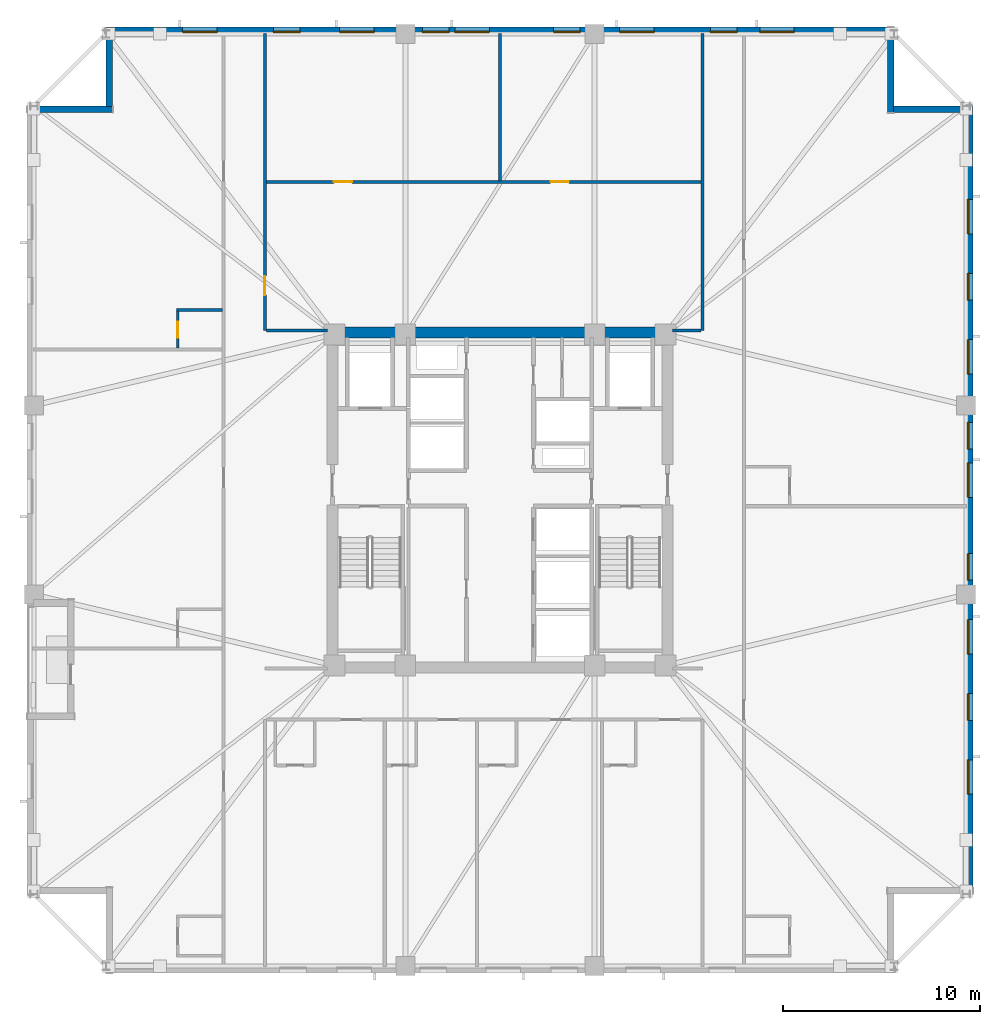
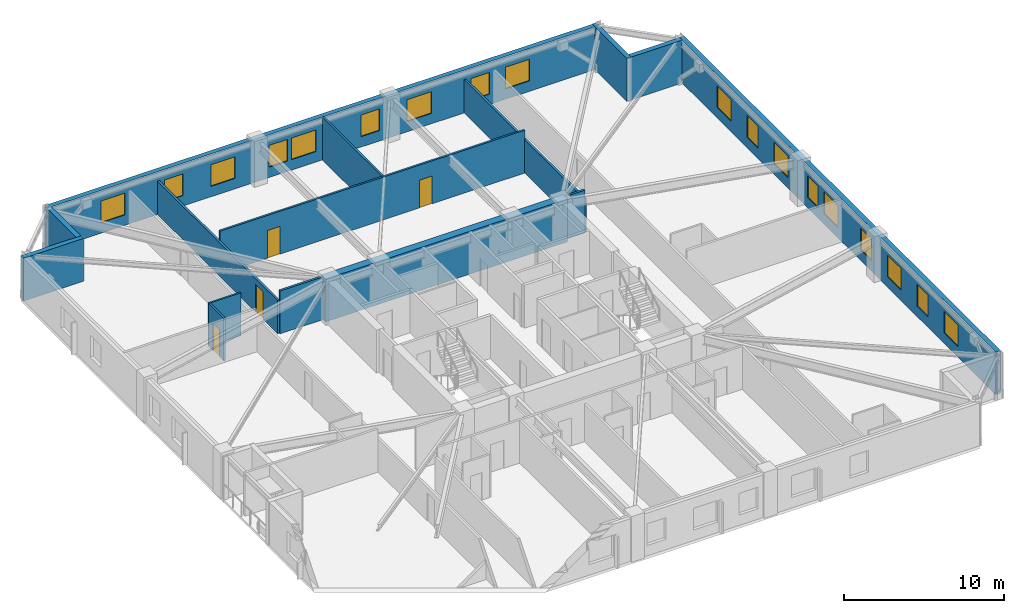
# One storey, part 5 of 10: 18 windows, 15 walls, 4 doors, 22 openings.
"""IFC4 building model written with IfcOpenShell, lengths in metres."""

from ifc_helpers import new_model, si_unit, direction, frame, frame_2d, origin, place, context, subcontext, project, spatial, rectangle, extrude, material, layer, layer_set, type_object, element, fill, save


model = new_model("IFC4")

# Units and contexts
model_context = context("Model", 3, precision=1e-05, world=origin(), true_north=direction((0.0, 1.0)))
body_context = subcontext(model_context, "Body", "Model", "MODEL_VIEW")
ifc_project = project(units=[si_unit("LENGTHUNIT", "METRE"), si_unit("AREAUNIT", "SQUARE_METRE"), si_unit("VOLUMEUNIT", "CUBIC_METRE"), si_unit("PLANEANGLEUNIT", "RADIAN"), si_unit("MASSUNIT", "GRAM", prefix="KILO")], contexts=[model_context])

# Site, building, storey
site_placement = place(None, origin())
site = spatial("IfcSite", under=ifc_project, at=site_placement, CompositionType="ELEMENT")
building_placement = place(site_placement, origin())
building = spatial("IfcBuilding", under=site, at=building_placement, Name="Cairnveth Concourse Tower", CompositionType="ELEMENT")
storey_placement = place(building_placement, frame((0.0, 0.0, 137.5)))
storey = spatial("IfcBuildingStorey", under=building, at=storey_placement, Name="L37", CompositionType="ELEMENT", Elevation=137.5)

# Wall, opening, door
ifc_material_1 = material(Name="Gypsum Plasterboard Partition", Category="gypsum")
ifc_layer_1 = layer(ifc_material_1, 0.159912109375)
ifc_layer_set_1 = layer_set([ifc_layer_1], Name="Gypsum Plasterboard Partition")
wall_type_1 = type_object("IfcWallType", Name="ACOUSTIC PARTY WALL 180", PredefinedType="PARTITIONING", material=ifc_layer_set_1)
wall_1_placement = place(storey_placement, frame((40.074951171875, 47.60009765625, 0.0), z_axis=(0.0, 0.0, 1.0), x_axis=(0.0, 1.0, 0.0)))
wall_1 = element("IfcWall", 1, at=wall_1_placement, inside=storey, type_object=wall_type_1, Name="Interior Wall IW-L37-038", PredefinedType="PARTITIONING", context=body_context, shape_type="SweptSolid", body=[
    extrude(rectangle(XDim=15.074951171875, YDim=0.159912109375, at=frame_2d((7.53759765625, 0.0))), origin(), (0.0, 0.0, 1.0), 2.554931640625),
])
opening_1_placement = place(wall_1_placement, frame((1.800048828125, 0.0, 0.0)))
opening_1 = element("IfcOpeningElement", 2, at=opening_1_placement, cuts=wall_1, Name="Opening ID11", PredefinedType="OPENING", context=body_context, shape_type="SweptSolid", body=[
    extrude(rectangle(XDim=0.9599609375, YDim=2.1201171875, at=frame_2d((0.47998046875, 1.06005859375))), frame((0.0, 0.08984375, 0.0), z_axis=(0.0, -1.0, 0.0), x_axis=(1.0, 0.0, 0.0)), (0.0, 0.0, 1.0), 0.179931640625),
])
ifc_material_2 = material(Name="Solid Core Hardwood Timber Leaf", Category="wood")
door_type_1 = type_object("IfcDoorType", Name="INTERIOR SINGLE DOOR 960X2150", OperationType="NOTDEFINED", PredefinedType="DOOR", material=ifc_material_2)
door_1_placement = place(opening_1_placement, origin())
door_1 = element("IfcDoor", 3, at=door_1_placement, inside=storey, type_object=door_type_1, Name="Interior Door DR-L37-015", OperationType="SINGLE_SWING_LEFT", OverallHeight=2.1201171875, OverallWidth=0.9599609375, PredefinedType="DOOR", context=body_context, shape_type="SweptSolid", body=[
    extrude(rectangle(XDim=0.9599609375, YDim=2.1201171875, at=frame_2d((0.47998046875, 1.06005859375))), frame((0.0, 0.02490234375, 0.0), z_axis=(0.0, -1.0, 0.0), x_axis=(1.0, 0.0, 0.0)), (0.0, 0.0, 1.0), 0.050048828125),
])
fill(opening_1, door_1)

# Walls
wall_2_placement = place(storey_placement, frame((40.139892578125, 47.60009765625, 0.0), z_axis=(0.0, 0.0, 1.0), x_axis=(1.0, 0.0, 0.0)))
element("IfcWall", 4, at=wall_2_placement, inside=storey, type_object=wall_type_1, Name="Interior Wall IW-L37-040", PredefinedType="PARTITIONING", context=body_context, shape_type="SweptSolid", body=[
    extrude(rectangle(XDim=3.09521484375, YDim=0.159912109375, at=frame_2d((1.547607421875, 0.0))), origin(), (0.0, 0.0, 1.0), 3.280029296875),
])
wall_3_placement = place(storey_placement, frame((62.27490234375, 47.60009765625, 0.0), z_axis=(0.0, 0.0, 1.0), x_axis=(0.0, 1.0, 0.0)))
element("IfcWall", 5, at=wall_3_placement, inside=storey, type_object=wall_type_1, Name="Interior Wall IW-L37-043", PredefinedType="PARTITIONING", context=body_context, shape_type="SweptSolid", body=[
    extrude(rectangle(XDim=15.074951171875, YDim=0.159912109375, at=frame_2d((7.53759765625, 0.0))), origin(), (0.0, 0.0, 1.0), 2.554931640625),
])
wall_4_placement = place(storey_placement, frame((60.764892578125, 47.60009765625, 0.0), z_axis=(0.0, 0.0, 1.0), x_axis=(1.0, 0.0, 0.0)))
element("IfcWall", 6, at=wall_4_placement, inside=storey, type_object=wall_type_1, Name="Interior Wall IW-L37-045", PredefinedType="PARTITIONING", context=body_context, shape_type="SweptSolid", body=[
    extrude(rectangle(XDim=1.445068359375, YDim=0.159912109375, at=frame_2d((0.72265625, 0.0))), origin(), (0.0, 0.0, 1.0), 3.280029296875),
])
ifc_material_3 = material(Name="Concrete N80 (80 MPa)", Category="concrete")
ifc_layer_2 = layer(ifc_material_3, 0.550048828125)
ifc_layer_set_2 = layer_set([ifc_layer_2], Name="Concrete N80 (80 MPa)")
wall_type_2 = type_object("IfcWallType", Name="CORE SHEAR WALL 550", PredefinedType="SHEAR", material=ifc_layer_set_2)
wall_5_placement = place(storey_placement, frame((43.22509765625, 47.5, 0.0), z_axis=(0.0, 0.0, 1.0), x_axis=(1.0, 0.0, 0.0)))
element("IfcWall", 7, at=wall_5_placement, inside=storey, type_object=wall_type_2, Name="Core North Shear Wall L37", PredefinedType="SHEAR", context=body_context, shape_type="SweptSolid", body=[
    extrude(rectangle(XDim=17.5498046875, YDim=0.550048828125, at=frame_2d((8.77490234375, 0.0))), origin(), (0.0, 0.0, 1.0), 3.280029296875),
])

# Wall, openings, doors
ifc_layer_3 = layer(ifc_material_1, 0.139892578125)
ifc_layer_set_3 = layer_set([ifc_layer_3], Name="Gypsum Plasterboard Partition")
wall_type_3 = type_object("IfcWallType", Name="GYPSUM STUD PARTITION 140", PredefinedType="PARTITIONING", material=ifc_layer_set_3)
wall_6_placement = place(storey_placement, frame((40.139892578125, 55.139892578125, 0.0), z_axis=(0.0, 0.0, 1.0), x_axis=(1.0, 0.0, 0.0)))
wall_6 = element("IfcWall", 8, at=wall_6_placement, inside=storey, type_object=wall_type_3, Name="Interior Wall IW-L37-047", PredefinedType="PARTITIONING", context=body_context, shape_type="SweptSolid", body=[
    extrude(rectangle(XDim=22.070068359375, YDim=0.139892578125, at=frame_2d((11.03515625, 0.0))), origin(), (0.0, 0.0, 1.0), 3.280029296875),
])
opening_2_placement = place(wall_6_placement, frame((3.43505859375, 0.0, 0.0)))
opening_2 = element("IfcOpeningElement", 9, at=opening_2_placement, cuts=wall_6, Name="Opening ID15", PredefinedType="OPENING", context=body_context, shape_type="SweptSolid", body=[
    extrude(rectangle(XDim=0.919921875, YDim=2.1201171875, at=frame_2d((0.4599609375, 1.06005859375))), frame((0.0, 0.079833984375, 0.0), z_axis=(0.0, -1.0, 0.0), x_axis=(1.0, 0.0, 0.0)), (0.0, 0.0, 1.0), 0.159912109375),
])
opening_3_placement = place(wall_6_placement, frame((14.43505859375, 0.0, 0.0)))
opening_3 = element("IfcOpeningElement", 10, at=opening_3_placement, cuts=wall_6, Name="Opening ID15", PredefinedType="OPENING", context=body_context, shape_type="SweptSolid", body=[
    extrude(rectangle(XDim=0.919921875, YDim=2.1201171875, at=frame_2d((0.4599609375, 1.06005859375))), frame((0.0, 0.079833984375, 0.0), z_axis=(0.0, -1.0, 0.0), x_axis=(1.0, 0.0, 0.0)), (0.0, 0.0, 1.0), 0.159912109375),
])
door_type_2 = type_object("IfcDoorType", Name="INTERIOR SINGLE DOOR 920X2100", OperationType="NOTDEFINED", PredefinedType="DOOR", material=ifc_material_2)
door_2_placement = place(opening_2_placement, origin())
door_2 = element("IfcDoor", 11, at=door_2_placement, inside=storey, type_object=door_type_2, Name="Interior Door DR-L37-016", OperationType="SINGLE_SWING_RIGHT", OverallHeight=2.1201171875, OverallWidth=0.919921875, PredefinedType="DOOR", context=body_context, shape_type="SweptSolid", body=[
    extrude(rectangle(XDim=0.919921875, YDim=2.1201171875, at=frame_2d((0.4599609375, 1.06005859375))), frame((0.0, 0.02490234375, 0.0), z_axis=(0.0, -1.0, 0.0), x_axis=(1.0, 0.0, 0.0)), (0.0, 0.0, 1.0), 0.050048828125),
])
fill(opening_2, door_2)
door_3_placement = place(opening_3_placement, origin())
door_3 = element("IfcDoor", 12, at=door_3_placement, inside=storey, type_object=door_type_2, Name="Interior Door DR-L37-017", OperationType="SINGLE_SWING_LEFT", OverallHeight=2.1201171875, OverallWidth=0.919921875, PredefinedType="DOOR", context=body_context, shape_type="SweptSolid", body=[
    extrude(rectangle(XDim=0.919921875, YDim=2.1201171875, at=frame_2d((0.4599609375, 1.06005859375))), frame((0.0, 0.02490234375, 0.0), z_axis=(0.0, -1.0, 0.0), x_axis=(1.0, 0.0, 0.0)), (0.0, 0.0, 1.0), 0.050048828125),
])
fill(opening_3, door_3)

# Walls
wall_7_placement = place(storey_placement, frame((52.0, 55.195068359375, 0.0), z_axis=(0.0, 0.0, 1.0), x_axis=(0.0, 1.0, 0.0)))
element("IfcWall", 13, at=wall_7_placement, inside=storey, type_object=wall_type_3, Name="Interior Wall IW-L37-048", PredefinedType="PARTITIONING", context=body_context, shape_type="SweptSolid", body=[
    extrude(rectangle(XDim=7.47998046875, YDim=0.139892578125, at=frame_2d((3.739990234375, 0.0))), origin(), (0.0, 0.0, 1.0), 3.280029296875),
])
ifc_layer_4 = layer(ifc_material_1, 0.1298828125)
ifc_layer_set_4 = layer_set([ifc_layer_4], Name="Gypsum Plasterboard Partition")
wall_type_4 = type_object("IfcWallType", Name="WET AREA PARTITION 140", PredefinedType="PLUMBINGWALL", material=ifc_layer_set_4)
wall_8_placement = place(storey_placement, frame((35.594970703125, 48.640625, 0.0), z_axis=(0.0, 0.0, 1.0), x_axis=(1.0, 0.0, 0.0)))
element("IfcWall", 14, at=wall_8_placement, inside=storey, type_object=wall_type_4, Name="Interior Wall IW-L37-068", PredefinedType="PLUMBINGWALL", context=body_context, shape_type="SweptSolid", body=[
    extrude(rectangle(XDim=2.31494140625, YDim=0.1298828125, at=frame_2d((1.157470703125, 0.0))), origin(), (0.0, 0.0, 1.0), 3.280029296875),
])

# Wall, opening, door
wall_9_placement = place(storey_placement, frame((35.64501953125, 46.70556640625, 0.0), z_axis=(0.0, 0.0, 1.0), x_axis=(0.0, 1.0, 0.0)))
wall_9 = element("IfcWall", 15, at=wall_9_placement, inside=storey, type_object=wall_type_4, Name="Interior Wall IW-L37-069", PredefinedType="PLUMBINGWALL", context=body_context, shape_type="SweptSolid", body=[
    extrude(rectangle(XDim=1.885009765625, YDim=0.1298828125, at=frame_2d((0.9423828125, 0.0))), origin(), (0.0, 0.0, 1.0), 3.280029296875),
])
opening_4_placement = place(wall_9_placement, frame((0.52490234375, 0.0, 0.0)))
opening_4 = element("IfcOpeningElement", 16, at=opening_4_placement, cuts=wall_9, Name="Opening ID22", PredefinedType="OPENING", context=body_context, shape_type="SweptSolid", body=[
    extrude(rectangle(XDim=0.820068359375, YDim=2.10009765625, at=frame_2d((0.41015625, 1.050048828125))), frame((0.0, 0.074951171875, 0.0), z_axis=(0.0, -1.0, 0.0), x_axis=(1.0, 0.0, 0.0)), (0.0, 0.0, 1.0), 0.14990234375),
])
door_type_3 = type_object("IfcDoorType", Name="INTERIOR WC DOOR 820X2100", OperationType="NOTDEFINED", PredefinedType="DOOR", material=ifc_material_2)
door_4_placement = place(opening_4_placement, origin())
door_4 = element("IfcDoor", 17, at=door_4_placement, inside=storey, type_object=door_type_3, Name="En-Suite Door L37-W3", OperationType="SINGLE_SWING_RIGHT", OverallHeight=2.10009765625, OverallWidth=0.820068359375, PredefinedType="DOOR", context=body_context, shape_type="SweptSolid", body=[
    extrude(rectangle(XDim=0.820068359375, YDim=2.10009765625, at=frame_2d((0.41015625, 1.050048828125))), frame((0.0, 0.02490234375, 0.0), z_axis=(0.0, -1.0, 0.0), x_axis=(1.0, 0.0, 0.0)), (0.0, 0.0, 1.0), 0.050048828125),
])
fill(opening_4, door_4)

# Walls
ifc_material_4 = material(Name="Hawthorn Red-Ochre Fired Clay Brick Masonry", Category="masonry")
ifc_layer_5 = layer(ifc_material_4, 0.340087890625)
ifc_layer_set_5 = layer_set([ifc_layer_5], Name="Hawthorn Red-Ochre Fired Clay Brick Masonry")
wall_type_5 = type_object("IfcWallType", Name="ZONE 2 BRICK PIER SPANDREL WALL 340", PredefinedType="SOLIDWALL", material=ifc_layer_set_5)
wall_10_placement = place(storey_placement, frame((28.0, 58.830078125, 0.0), z_axis=(0.0, 0.0, 1.0), x_axis=(1.0, 0.0, 0.0)))
element("IfcWall", 18, at=wall_10_placement, inside=storey, type_object=wall_type_5, Name="Exterior Wall EW-L37-S01", PredefinedType="SOLIDWALL", context=body_context, shape_type="SweptSolid", body=[
    extrude(rectangle(XDim=4.340087890625, YDim=0.340087890625, at=frame_2d((2.169921875, 0.0))), origin(), (0.0, 0.0, 1.0), 3.280029296875),
])
wall_11_placement = place(storey_placement, frame((32.169921875, 58.97802734375, 0.0), z_axis=(0.0, 0.0, 1.0), x_axis=(0.0, 1.0, 0.0)))
element("IfcWall", 19, at=wall_11_placement, inside=storey, type_object=wall_type_5, Name="Exterior Wall EW-L37-S02", PredefinedType="SOLIDWALL", context=body_context, shape_type="SweptSolid", body=[
    extrude(rectangle(XDim=3.703857421875, YDim=0.340087890625, at=frame_2d((1.85205078125, 0.0))), origin(), (0.0, 0.0, 1.0), 3.280029296875),
])

# Wall, openings, windows
wall_12_placement = place(storey_placement, frame((32.0, 62.830078125, 0.0), z_axis=(0.0, 0.0, 1.0), x_axis=(1.0, 0.0, 0.0)))
wall_12 = element("IfcWall", 20, at=wall_12_placement, inside=storey, type_object=wall_type_5, Name="Exterior Wall EW-L37-S03", PredefinedType="SOLIDWALL", context=body_context, shape_type="SweptSolid", body=[
    extrude(rectangle(XDim=39.681884765625, YDim=0.340087890625, at=frame_2d((19.8408203125, 0.0))), origin(), (0.0, 0.0, 1.0), 3.280029296875),
])
opening_5_placement = place(wall_12_placement, frame((3.90185546875, 0.0, 0.800048828125)))
opening_5 = element("IfcOpeningElement", 21, at=opening_5_placement, cuts=wall_12, Name="Opening W06", PredefinedType="OPENING", context=body_context, shape_type="SweptSolid", body=[
    extrude(rectangle(XDim=1.75, YDim=1.659912109375, at=frame_2d((0.875, 0.830078125))), frame((0.0, 0.179931640625, 0.0), z_axis=(0.0, -1.0, 0.0), x_axis=(1.0, 0.0, 0.0)), (0.0, 0.0, 1.0), 0.360107421875),
])
opening_6_placement = place(wall_12_placement, frame((8.50537109375, 0.0, 0.800048828125)))
opening_6 = element("IfcOpeningElement", 22, at=opening_6_placement, cuts=wall_12, Name="Opening W02", PredefinedType="OPENING", context=body_context, shape_type="SweptSolid", body=[
    extrude(rectangle(XDim=1.35009765625, YDim=1.659912109375, at=frame_2d((0.675048828125, 0.830078125))), frame((0.0, 0.179931640625, 0.0), z_axis=(0.0, -1.0, 0.0), x_axis=(1.0, 0.0, 0.0)), (0.0, 0.0, 1.0), 0.360107421875),
])
opening_7_placement = place(wall_12_placement, frame((11.85888671875, 0.0, 0.800048828125)))
opening_7 = element("IfcOpeningElement", 23, at=opening_7_placement, cuts=wall_12, Name="Opening W06", PredefinedType="OPENING", context=body_context, shape_type="SweptSolid", body=[
    extrude(rectangle(XDim=1.75, YDim=1.659912109375, at=frame_2d((0.875, 0.830078125))), frame((0.0, 0.179931640625, 0.0), z_axis=(0.0, -1.0, 0.0), x_axis=(1.0, 0.0, 0.0)), (0.0, 0.0, 1.0), 0.360107421875),
])
opening_8_placement = place(wall_12_placement, frame((16.0625, 0.0, 0.800048828125)))
opening_8 = element("IfcOpeningElement", 24, at=opening_8_placement, cuts=wall_12, Name="Opening W02", PredefinedType="OPENING", context=body_context, shape_type="SweptSolid", body=[
    extrude(rectangle(XDim=1.35009765625, YDim=1.659912109375, at=frame_2d((0.675048828125, 0.830078125))), frame((0.0, 0.179931640625, 0.0), z_axis=(0.0, -1.0, 0.0), x_axis=(1.0, 0.0, 0.0)), (0.0, 0.0, 1.0), 0.360107421875),
])
opening_9_placement = place(wall_12_placement, frame((17.716064453125, 0.0, 0.800048828125)))
opening_9 = element("IfcOpeningElement", 25, at=opening_9_placement, cuts=wall_12, Name="Opening W06", PredefinedType="OPENING", context=body_context, shape_type="SweptSolid", body=[
    extrude(rectangle(XDim=1.75, YDim=1.659912109375, at=frame_2d((0.875, 0.830078125))), frame((0.0, 0.179931640625, 0.0), z_axis=(0.0, -1.0, 0.0), x_axis=(1.0, 0.0, 0.0)), (0.0, 0.0, 1.0), 0.360107421875),
])
opening_10_placement = place(wall_12_placement, frame((22.719482421875, 0.0, 0.800048828125)))
opening_10 = element("IfcOpeningElement", 26, at=opening_10_placement, cuts=wall_12, Name="Opening W02", PredefinedType="OPENING", context=body_context, shape_type="SweptSolid", body=[
    extrude(rectangle(XDim=1.35009765625, YDim=1.659912109375, at=frame_2d((0.675048828125, 0.830078125))), frame((0.0, 0.179931640625, 0.0), z_axis=(0.0, -1.0, 0.0), x_axis=(1.0, 0.0, 0.0)), (0.0, 0.0, 1.0), 0.360107421875),
])
opening_11_placement = place(wall_12_placement, frame((26.072998046875, 0.0, 0.800048828125)))
opening_11 = element("IfcOpeningElement", 27, at=opening_11_placement, cuts=wall_12, Name="Opening W06", PredefinedType="OPENING", context=body_context, shape_type="SweptSolid", body=[
    extrude(rectangle(XDim=1.75, YDim=1.659912109375, at=frame_2d((0.875, 0.830078125))), frame((0.0, 0.179931640625, 0.0), z_axis=(0.0, -1.0, 0.0), x_axis=(1.0, 0.0, 0.0)), (0.0, 0.0, 1.0), 0.360107421875),
])
opening_12_placement = place(wall_12_placement, frame((30.6767578125, 0.0, 0.800048828125)))
opening_12 = element("IfcOpeningElement", 28, at=opening_12_placement, cuts=wall_12, Name="Opening W02", PredefinedType="OPENING", context=body_context, shape_type="SweptSolid", body=[
    extrude(rectangle(XDim=1.35009765625, YDim=1.659912109375, at=frame_2d((0.675048828125, 0.830078125))), frame((0.0, 0.179931640625, 0.0), z_axis=(0.0, -1.0, 0.0), x_axis=(1.0, 0.0, 0.0)), (0.0, 0.0, 1.0), 0.360107421875),
])
opening_13_placement = place(wall_12_placement, frame((33.18017578125, 0.0, 0.800048828125)))
opening_13 = element("IfcOpeningElement", 29, at=opening_13_placement, cuts=wall_12, Name="Opening W06", PredefinedType="OPENING", context=body_context, shape_type="SweptSolid", body=[
    extrude(rectangle(XDim=1.75, YDim=1.659912109375, at=frame_2d((0.875, 0.830078125))), frame((0.0, 0.179931640625, 0.0), z_axis=(0.0, -1.0, 0.0), x_axis=(1.0, 0.0, 0.0)), (0.0, 0.0, 1.0), 0.360107421875),
])
ifc_material_5 = material(Name="Double Glazed Low-E Clear Glass", Category="glass")
window_type_1 = type_object("IfcWindowType", Name="DEEP-SET GOTHIC LANCET WINDOW 1350X1800", PartitioningType="DOUBLE_PANEL_VERTICAL", PredefinedType="WINDOW", material=ifc_material_5)
window_1_placement = place(opening_6_placement, origin())
window_1 = element("IfcWindow", 30, at=window_1_placement, inside=storey, type_object=window_type_1, Name="Gothic Lancet Window L37-3-2", OverallHeight=1.659912109375, OverallWidth=1.35009765625, PartitioningType="SINGLE_PANEL", PredefinedType="WINDOW", context=body_context, shape_type="SweptSolid", body=[
    extrude(rectangle(XDim=1.35009765625, YDim=1.659912109375, at=frame_2d((0.675048828125, 0.830078125))), frame((0.0, -0.050048828125, 0.0), z_axis=(0.0, -1.0, 0.0), x_axis=(1.0, 0.0, 0.0)), (0.0, 0.0, 1.0), 0.06005859375),
])
fill(opening_6, window_1)
window_2_placement = place(opening_8_placement, origin())
window_2 = element("IfcWindow", 31, at=window_2_placement, inside=storey, type_object=window_type_1, Name="Gothic Lancet Window L37-3-4", OverallHeight=1.659912109375, OverallWidth=1.35009765625, PartitioningType="SINGLE_PANEL", PredefinedType="WINDOW", context=body_context, shape_type="SweptSolid", body=[
    extrude(rectangle(XDim=1.35009765625, YDim=1.659912109375, at=frame_2d((0.675048828125, 0.830078125))), frame((0.0, -0.050048828125, 0.0), z_axis=(0.0, -1.0, 0.0), x_axis=(1.0, 0.0, 0.0)), (0.0, 0.0, 1.0), 0.06005859375),
])
fill(opening_8, window_2)
window_3_placement = place(opening_10_placement, origin())
window_3 = element("IfcWindow", 32, at=window_3_placement, inside=storey, type_object=window_type_1, Name="Gothic Lancet Window L37-3-6", OverallHeight=1.659912109375, OverallWidth=1.35009765625, PartitioningType="SINGLE_PANEL", PredefinedType="WINDOW", context=body_context, shape_type="SweptSolid", body=[
    extrude(rectangle(XDim=1.35009765625, YDim=1.659912109375, at=frame_2d((0.675048828125, 0.830078125))), frame((0.0, -0.050048828125, 0.0), z_axis=(0.0, -1.0, 0.0), x_axis=(1.0, 0.0, 0.0)), (0.0, 0.0, 1.0), 0.06005859375),
])
fill(opening_10, window_3)
window_4_placement = place(opening_12_placement, origin())
window_4 = element("IfcWindow", 33, at=window_4_placement, inside=storey, type_object=window_type_1, Name="Gothic Lancet Window L37-3-8", OverallHeight=1.659912109375, OverallWidth=1.35009765625, PartitioningType="SINGLE_PANEL", PredefinedType="WINDOW", context=body_context, shape_type="SweptSolid", body=[
    extrude(rectangle(XDim=1.35009765625, YDim=1.659912109375, at=frame_2d((0.675048828125, 0.830078125))), frame((0.0, -0.050048828125, 0.0), z_axis=(0.0, -1.0, 0.0), x_axis=(1.0, 0.0, 0.0)), (0.0, 0.0, 1.0), 0.06005859375),
])
fill(opening_12, window_4)
window_type_2 = type_object("IfcWindowType", Name="DEEP-SET HOTEL SUITE WINDOW 1750X1800", PartitioningType="DOUBLE_PANEL_VERTICAL", PredefinedType="WINDOW", material=ifc_material_5)
window_5_placement = place(opening_5_placement, origin())
window_5 = element("IfcWindow", 34, at=window_5_placement, inside=storey, type_object=window_type_2, Name="Gothic Lancet Window L37-3-1", OverallHeight=1.659912109375, OverallWidth=1.75, PartitioningType="SINGLE_PANEL", PredefinedType="WINDOW", context=body_context, shape_type="SweptSolid", body=[
    extrude(rectangle(XDim=1.75, YDim=1.659912109375, at=frame_2d((0.875, 0.830078125))), frame((0.0, -0.050048828125, 0.0), z_axis=(0.0, -1.0, 0.0), x_axis=(1.0, 0.0, 0.0)), (0.0, 0.0, 1.0), 0.06005859375),
])
fill(opening_5, window_5)
window_6_placement = place(opening_7_placement, origin())
window_6 = element("IfcWindow", 35, at=window_6_placement, inside=storey, type_object=window_type_2, Name="Gothic Lancet Window L37-3-3", OverallHeight=1.659912109375, OverallWidth=1.75, PartitioningType="SINGLE_PANEL", PredefinedType="WINDOW", context=body_context, shape_type="SweptSolid", body=[
    extrude(rectangle(XDim=1.75, YDim=1.659912109375, at=frame_2d((0.875, 0.830078125))), frame((0.0, -0.050048828125, 0.0), z_axis=(0.0, -1.0, 0.0), x_axis=(1.0, 0.0, 0.0)), (0.0, 0.0, 1.0), 0.06005859375),
])
fill(opening_7, window_6)
window_7_placement = place(opening_9_placement, origin())
window_7 = element("IfcWindow", 36, at=window_7_placement, inside=storey, type_object=window_type_2, Name="Gothic Lancet Window L37-3-5", OverallHeight=1.659912109375, OverallWidth=1.75, PartitioningType="SINGLE_PANEL", PredefinedType="WINDOW", context=body_context, shape_type="SweptSolid", body=[
    extrude(rectangle(XDim=1.75, YDim=1.659912109375, at=frame_2d((0.875, 0.830078125))), frame((0.0, -0.050048828125, 0.0), z_axis=(0.0, -1.0, 0.0), x_axis=(1.0, 0.0, 0.0)), (0.0, 0.0, 1.0), 0.06005859375),
])
fill(opening_9, window_7)
window_8_placement = place(opening_11_placement, origin())
window_8 = element("IfcWindow", 37, at=window_8_placement, inside=storey, type_object=window_type_2, Name="Gothic Lancet Window L37-3-7", OverallHeight=1.659912109375, OverallWidth=1.75, PartitioningType="SINGLE_PANEL", PredefinedType="WINDOW", context=body_context, shape_type="SweptSolid", body=[
    extrude(rectangle(XDim=1.75, YDim=1.659912109375, at=frame_2d((0.875, 0.830078125))), frame((0.0, -0.050048828125, 0.0), z_axis=(0.0, -1.0, 0.0), x_axis=(1.0, 0.0, 0.0)), (0.0, 0.0, 1.0), 0.06005859375),
])
fill(opening_11, window_8)
window_9_placement = place(opening_13_placement, origin())
window_9 = element("IfcWindow", 38, at=window_9_placement, inside=storey, type_object=window_type_2, Name="Gothic Lancet Window L37-3-9", OverallHeight=1.659912109375, OverallWidth=1.75, PartitioningType="SINGLE_PANEL", PredefinedType="WINDOW", context=body_context, shape_type="SweptSolid", body=[
    extrude(rectangle(XDim=1.75, YDim=1.659912109375, at=frame_2d((0.875, 0.830078125))), frame((0.0, -0.050048828125, 0.0), z_axis=(0.0, -1.0, 0.0), x_axis=(1.0, 0.0, 0.0)), (0.0, 0.0, 1.0), 0.06005859375),
])
fill(opening_13, window_9)

# Walls
wall_13_placement = place(storey_placement, frame((71.830078125, 63.0, 0.0), z_axis=(0.0, 0.0, 1.0), x_axis=(0.0, -1.0, 0.0)))
element("IfcWall", 39, at=wall_13_placement, inside=storey, type_object=wall_type_5, Name="Exterior Wall EW-L37-S04", PredefinedType="SOLIDWALL", context=body_context, shape_type="SweptSolid", body=[
    extrude(rectangle(XDim=4.340087890625, YDim=0.340087890625, at=frame_2d((2.169921875, 0.0))), origin(), (0.0, 0.0, 1.0), 3.280029296875),
])
wall_14_placement = place(storey_placement, frame((71.97802734375, 58.830078125, 0.0), z_axis=(0.0, 0.0, 1.0), x_axis=(1.0, 0.0, 0.0)))
element("IfcWall", 40, at=wall_14_placement, inside=storey, type_object=wall_type_5, Name="Exterior Wall EW-L37-S05", PredefinedType="SOLIDWALL", context=body_context, shape_type="SweptSolid", body=[
    extrude(rectangle(XDim=3.703857421875, YDim=0.340087890625, at=frame_2d((1.85205078125, 0.0))), origin(), (0.0, 0.0, 1.0), 3.280029296875),
])

# Wall, openings, windows
wall_15_placement = place(storey_placement, frame((75.830078125, 59.0, 0.0), z_axis=(0.0, 0.0, 1.0), x_axis=(0.0, -1.0, 0.0)))
wall_15 = element("IfcWall", 41, at=wall_15_placement, inside=storey, type_object=wall_type_5, Name="Exterior Wall EW-L37-S06", PredefinedType="SOLIDWALL", context=body_context, shape_type="SweptSolid", body=[
    extrude(rectangle(XDim=39.681884765625, YDim=0.340087890625, at=frame_2d((19.8408203125, 0.0))), origin(), (0.0, 0.0, 1.0), 3.280029296875),
])
opening_14_placement = place(wall_15_placement, frame((4.751708984375, 0.0, 0.800048828125)))
opening_14 = element("IfcOpeningElement", 42, at=opening_14_placement, cuts=wall_15, Name="Opening W06", PredefinedType="OPENING", context=body_context, shape_type="SweptSolid", body=[
    extrude(rectangle(XDim=1.75, YDim=1.659912109375, at=frame_2d((0.875, 0.830078125))), frame((0.0, 0.179931640625, 0.0), z_axis=(0.0, -1.0, 0.0), x_axis=(1.0, 0.0, 0.0)), (0.0, 0.0, 1.0), 0.360107421875),
])
opening_15_placement = place(wall_15_placement, frame((8.50537109375, 0.0, 0.800048828125)))
opening_15 = element("IfcOpeningElement", 43, at=opening_15_placement, cuts=wall_15, Name="Opening W02", PredefinedType="OPENING", context=body_context, shape_type="SweptSolid", body=[
    extrude(rectangle(XDim=1.35009765625, YDim=1.659912109375, at=frame_2d((0.675048828125, 0.830078125))), frame((0.0, 0.179931640625, 0.0), z_axis=(0.0, -1.0, 0.0), x_axis=(1.0, 0.0, 0.0)), (0.0, 0.0, 1.0), 0.360107421875),
])
opening_16_placement = place(wall_15_placement, frame((11.85888671875, 0.0, 0.800048828125)))
opening_16 = element("IfcOpeningElement", 44, at=opening_16_placement, cuts=wall_15, Name="Opening W06", PredefinedType="OPENING", context=body_context, shape_type="SweptSolid", body=[
    extrude(rectangle(XDim=1.75, YDim=1.659912109375, at=frame_2d((0.875, 0.830078125))), frame((0.0, 0.179931640625, 0.0), z_axis=(0.0, -1.0, 0.0), x_axis=(1.0, 0.0, 0.0)), (0.0, 0.0, 1.0), 0.360107421875),
])
opening_17_placement = place(wall_15_placement, frame((16.0625, 0.0, 0.800048828125)))
opening_17 = element("IfcOpeningElement", 45, at=opening_17_placement, cuts=wall_15, Name="Opening W02", PredefinedType="OPENING", context=body_context, shape_type="SweptSolid", body=[
    extrude(rectangle(XDim=1.35009765625, YDim=1.659912109375, at=frame_2d((0.675048828125, 0.830078125))), frame((0.0, 0.179931640625, 0.0), z_axis=(0.0, -1.0, 0.0), x_axis=(1.0, 0.0, 0.0)), (0.0, 0.0, 1.0), 0.360107421875),
])
opening_18_placement = place(wall_15_placement, frame((18.115966796875, 0.0, 0.800048828125)))
opening_18 = element("IfcOpeningElement", 46, at=opening_18_placement, cuts=wall_15, Name="Opening W06", PredefinedType="OPENING", context=body_context, shape_type="SweptSolid", body=[
    extrude(rectangle(XDim=1.75, YDim=1.659912109375, at=frame_2d((0.875, 0.830078125))), frame((0.0, 0.179931640625, 0.0), z_axis=(0.0, -1.0, 0.0), x_axis=(1.0, 0.0, 0.0)), (0.0, 0.0, 1.0), 0.360107421875),
])
opening_19_placement = place(wall_15_placement, frame((22.719482421875, 0.0, 0.800048828125)))
opening_19 = element("IfcOpeningElement", 47, at=opening_19_placement, cuts=wall_15, Name="Opening W02", PredefinedType="OPENING", context=body_context, shape_type="SweptSolid", body=[
    extrude(rectangle(XDim=1.35009765625, YDim=1.659912109375, at=frame_2d((0.675048828125, 0.830078125))), frame((0.0, 0.179931640625, 0.0), z_axis=(0.0, -1.0, 0.0), x_axis=(1.0, 0.0, 0.0)), (0.0, 0.0, 1.0), 0.360107421875),
])
opening_20_placement = place(wall_15_placement, frame((26.072998046875, 0.0, 0.800048828125)))
opening_20 = element("IfcOpeningElement", 48, at=opening_20_placement, cuts=wall_15, Name="Opening W06", PredefinedType="OPENING", context=body_context, shape_type="SweptSolid", body=[
    extrude(rectangle(XDim=1.75, YDim=1.659912109375, at=frame_2d((0.875, 0.830078125))), frame((0.0, 0.179931640625, 0.0), z_axis=(0.0, -1.0, 0.0), x_axis=(1.0, 0.0, 0.0)), (0.0, 0.0, 1.0), 0.360107421875),
])
opening_21_placement = place(wall_15_placement, frame((29.82666015625, 0.0, 0.800048828125)))
opening_21 = element("IfcOpeningElement", 49, at=opening_21_placement, cuts=wall_15, Name="Opening W02", PredefinedType="OPENING", context=body_context, shape_type="SweptSolid", body=[
    extrude(rectangle(XDim=1.35009765625, YDim=1.659912109375, at=frame_2d((0.675048828125, 0.830078125))), frame((0.0, 0.179931640625, 0.0), z_axis=(0.0, -1.0, 0.0), x_axis=(1.0, 0.0, 0.0)), (0.0, 0.0, 1.0), 0.360107421875),
])
opening_22_placement = place(wall_15_placement, frame((33.18017578125, 0.0, 0.800048828125)))
opening_22 = element("IfcOpeningElement", 50, at=opening_22_placement, cuts=wall_15, Name="Opening W06", PredefinedType="OPENING", context=body_context, shape_type="SweptSolid", body=[
    extrude(rectangle(XDim=1.75, YDim=1.659912109375, at=frame_2d((0.875, 0.830078125))), frame((0.0, 0.179931640625, 0.0), z_axis=(0.0, -1.0, 0.0), x_axis=(1.0, 0.0, 0.0)), (0.0, 0.0, 1.0), 0.360107421875),
])
window_10_placement = place(opening_15_placement, origin())
window_10 = element("IfcWindow", 51, at=window_10_placement, inside=storey, type_object=window_type_1, Name="Gothic Lancet Window L37-6-2", OverallHeight=1.659912109375, OverallWidth=1.35009765625, PartitioningType="SINGLE_PANEL", PredefinedType="WINDOW", context=body_context, shape_type="SweptSolid", body=[
    extrude(rectangle(XDim=1.35009765625, YDim=1.659912109375, at=frame_2d((0.675048828125, 0.830078125))), frame((0.0, -0.050048828125, 0.0), z_axis=(0.0, -1.0, 0.0), x_axis=(1.0, 0.0, 0.0)), (0.0, 0.0, 1.0), 0.06005859375),
])
fill(opening_15, window_10)
window_11_placement = place(opening_17_placement, origin())
window_11 = element("IfcWindow", 52, at=window_11_placement, inside=storey, type_object=window_type_1, Name="Gothic Lancet Window L37-6-4", OverallHeight=1.659912109375, OverallWidth=1.35009765625, PartitioningType="SINGLE_PANEL", PredefinedType="WINDOW", context=body_context, shape_type="SweptSolid", body=[
    extrude(rectangle(XDim=1.35009765625, YDim=1.659912109375, at=frame_2d((0.675048828125, 0.830078125))), frame((0.0, -0.050048828125, 0.0), z_axis=(0.0, -1.0, 0.0), x_axis=(1.0, 0.0, 0.0)), (0.0, 0.0, 1.0), 0.06005859375),
])
fill(opening_17, window_11)
window_12_placement = place(opening_19_placement, origin())
window_12 = element("IfcWindow", 53, at=window_12_placement, inside=storey, type_object=window_type_1, Name="Gothic Lancet Window L37-6-6", OverallHeight=1.659912109375, OverallWidth=1.35009765625, PartitioningType="SINGLE_PANEL", PredefinedType="WINDOW", context=body_context, shape_type="SweptSolid", body=[
    extrude(rectangle(XDim=1.35009765625, YDim=1.659912109375, at=frame_2d((0.675048828125, 0.830078125))), frame((0.0, -0.050048828125, 0.0), z_axis=(0.0, -1.0, 0.0), x_axis=(1.0, 0.0, 0.0)), (0.0, 0.0, 1.0), 0.06005859375),
])
fill(opening_19, window_12)
window_13_placement = place(opening_21_placement, origin())
window_13 = element("IfcWindow", 54, at=window_13_placement, inside=storey, type_object=window_type_1, Name="Gothic Lancet Window L37-6-8", OverallHeight=1.659912109375, OverallWidth=1.35009765625, PartitioningType="SINGLE_PANEL", PredefinedType="WINDOW", context=body_context, shape_type="SweptSolid", body=[
    extrude(rectangle(XDim=1.35009765625, YDim=1.659912109375, at=frame_2d((0.675048828125, 0.830078125))), frame((0.0, -0.050048828125, 0.0), z_axis=(0.0, -1.0, 0.0), x_axis=(1.0, 0.0, 0.0)), (0.0, 0.0, 1.0), 0.06005859375),
])
fill(opening_21, window_13)
window_14_placement = place(opening_14_placement, origin())
window_14 = element("IfcWindow", 55, at=window_14_placement, inside=storey, type_object=window_type_2, Name="Gothic Lancet Window L37-6-1", OverallHeight=1.659912109375, OverallWidth=1.75, PartitioningType="SINGLE_PANEL", PredefinedType="WINDOW", context=body_context, shape_type="SweptSolid", body=[
    extrude(rectangle(XDim=1.75, YDim=1.659912109375, at=frame_2d((0.875, 0.830078125))), frame((0.0, -0.050048828125, 0.0), z_axis=(0.0, -1.0, 0.0), x_axis=(1.0, 0.0, 0.0)), (0.0, 0.0, 1.0), 0.06005859375),
])
fill(opening_14, window_14)
window_15_placement = place(opening_16_placement, origin())
window_15 = element("IfcWindow", 56, at=window_15_placement, inside=storey, type_object=window_type_2, Name="Gothic Lancet Window L37-6-3", OverallHeight=1.659912109375, OverallWidth=1.75, PartitioningType="SINGLE_PANEL", PredefinedType="WINDOW", context=body_context, shape_type="SweptSolid", body=[
    extrude(rectangle(XDim=1.75, YDim=1.659912109375, at=frame_2d((0.875, 0.830078125))), frame((0.0, -0.050048828125, 0.0), z_axis=(0.0, -1.0, 0.0), x_axis=(1.0, 0.0, 0.0)), (0.0, 0.0, 1.0), 0.06005859375),
])
fill(opening_16, window_15)
window_16_placement = place(opening_18_placement, origin())
window_16 = element("IfcWindow", 57, at=window_16_placement, inside=storey, type_object=window_type_2, Name="Gothic Lancet Window L37-6-5", OverallHeight=1.659912109375, OverallWidth=1.75, PartitioningType="SINGLE_PANEL", PredefinedType="WINDOW", context=body_context, shape_type="SweptSolid", body=[
    extrude(rectangle(XDim=1.75, YDim=1.659912109375, at=frame_2d((0.875, 0.830078125))), frame((0.0, -0.050048828125, 0.0), z_axis=(0.0, -1.0, 0.0), x_axis=(1.0, 0.0, 0.0)), (0.0, 0.0, 1.0), 0.06005859375),
])
fill(opening_18, window_16)
window_17_placement = place(opening_20_placement, origin())
window_17 = element("IfcWindow", 58, at=window_17_placement, inside=storey, type_object=window_type_2, Name="Gothic Lancet Window L37-6-7", OverallHeight=1.659912109375, OverallWidth=1.75, PartitioningType="SINGLE_PANEL", PredefinedType="WINDOW", context=body_context, shape_type="SweptSolid", body=[
    extrude(rectangle(XDim=1.75, YDim=1.659912109375, at=frame_2d((0.875, 0.830078125))), frame((0.0, -0.050048828125, 0.0), z_axis=(0.0, -1.0, 0.0), x_axis=(1.0, 0.0, 0.0)), (0.0, 0.0, 1.0), 0.06005859375),
])
fill(opening_20, window_17)
window_18_placement = place(opening_22_placement, origin())
window_18 = element("IfcWindow", 59, at=window_18_placement, inside=storey, type_object=window_type_2, Name="Gothic Lancet Window L37-6-9", OverallHeight=1.659912109375, OverallWidth=1.75, PartitioningType="SINGLE_PANEL", PredefinedType="WINDOW", context=body_context, shape_type="SweptSolid", body=[
    extrude(rectangle(XDim=1.75, YDim=1.659912109375, at=frame_2d((0.875, 0.830078125))), frame((0.0, -0.050048828125, 0.0), z_axis=(0.0, -1.0, 0.0), x_axis=(1.0, 0.0, 0.0)), (0.0, 0.0, 1.0), 0.06005859375),
])
fill(opening_22, window_18)

save(model, "model.ifc")
